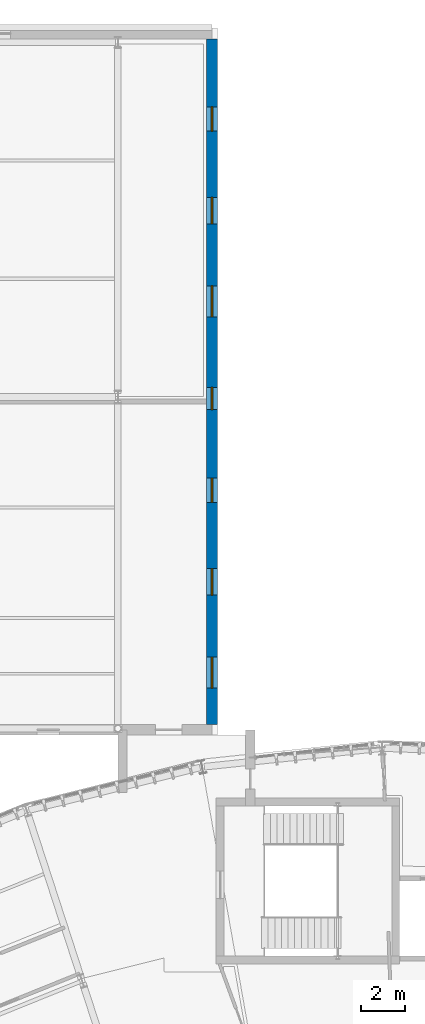
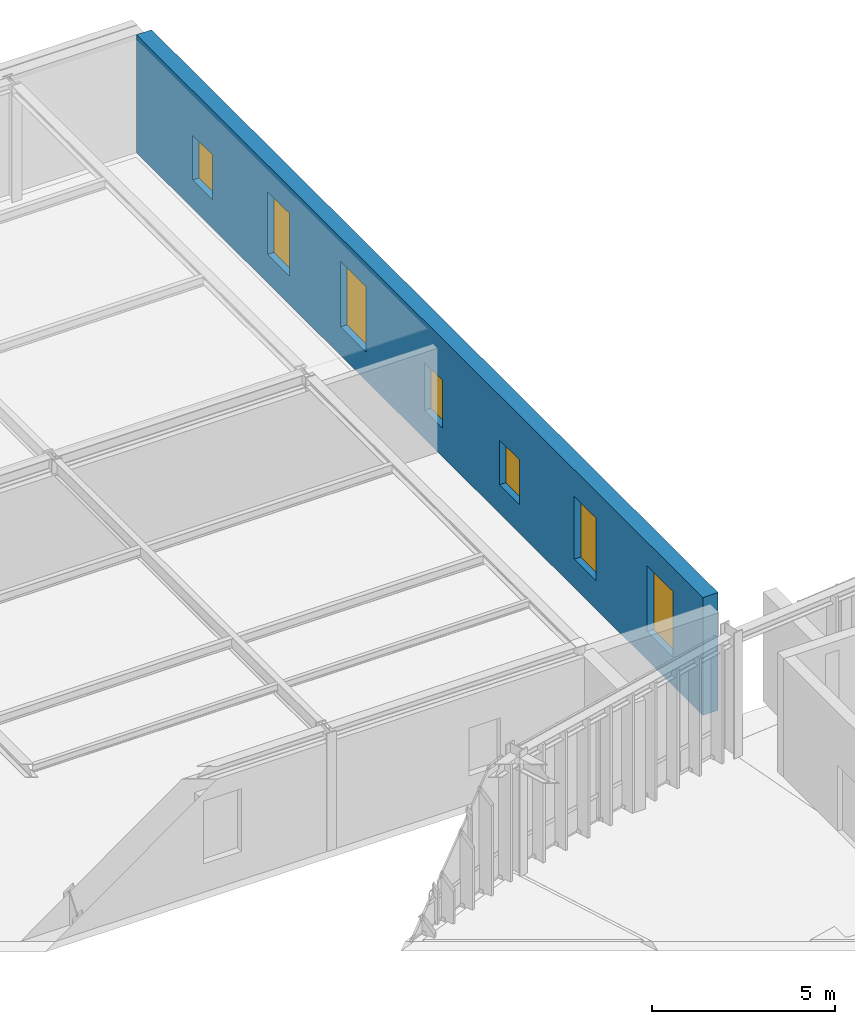
# One storey, part 132 of 148: 7 windows, 1 wall, 7 openings.
"""IFC4 building model written with IfcOpenShell, lengths in metres."""

from ifc_helpers import new_model, si_unit, direction, frame, frame_2d, origin, place, context, subcontext, project, spatial, rectangle, extrude, material, layer, layer_set, type_object, element, fill, save


model = new_model("IFC4")

# Units and contexts
model_context = context("Model", 3, precision=1e-05, world=origin(), true_north=direction((0.0, 1.0)))
body_context = subcontext(model_context, "Body", "Model", "MODEL_VIEW")
ifc_project = project(units=[si_unit("LENGTHUNIT", "METRE"), si_unit("AREAUNIT", "SQUARE_METRE"), si_unit("VOLUMEUNIT", "CUBIC_METRE"), si_unit("PLANEANGLEUNIT", "RADIAN"), si_unit("MASSUNIT", "GRAM", prefix="KILO"), si_unit("THERMODYNAMICTEMPERATUREUNIT", "KELVIN"), si_unit("POWERUNIT", "WATT")], contexts=[model_context])

# Site, building, storey
site_placement = place(None, origin())
site = spatial("IfcSite", under=ifc_project, at=site_placement, CompositionType="ELEMENT")
building_placement = place(site_placement, origin())
building = spatial("IfcBuilding", under=site, at=building_placement, Name="Solvatero Civic Police Headquarters", CompositionType="ELEMENT")
storey_placement = place(building_placement, frame((0.0, 0.0, 5.10009765625)))
storey = spatial("IfcBuildingStorey", under=building, at=storey_placement, Name="L01", CompositionType="ELEMENT", Elevation=5.10009765625)

# Wall, openings, windows
ifc_material_1 = material(Name="Reinforced Masonry", Category="masonry")
ifc_layer = layer(ifc_material_1, 0.47998046875)
ifc_layer_set = layer_set([ifc_layer], Name="Reinforced Masonry")
wall_type = type_object("IfcWallType", Name="WL-EXT-CUST-480", PredefinedType="SOLIDWALL", material=ifc_layer_set)
wall_placement = place(storey_placement, frame((84.260009765625, 85.679931640625, 0.0), z_axis=(0.0, 0.0, 1.0), x_axis=(0.0, 1.0, 0.0)))
wall = element("IfcWall", 1, at=wall_placement, inside=storey, type_object=wall_type, Name="Exterior Wall WLE-L01-V7-E", PredefinedType="SOLIDWALL", context=body_context, shape_type="SweptSolid", body=[
    extrude(rectangle(XDim=31.030029296875, YDim=0.47998046875, at=frame_2d((15.51513671875, 0.0))), origin(), (0.0, 0.0, 1.0), 3.93994140625),
])
opening_1_placement = place(wall_placement, frame((1.64990234375, 0.0, 0.949951171875)))
opening_1 = element("IfcOpeningElement", 2, at=opening_1_placement, cuts=wall, Name="Opening W-02", PredefinedType="OPENING", context=body_context, shape_type="SweptSolid", body=[
    extrude(rectangle(XDim=1.39990234375, YDim=2.199951171875, at=frame_2d((0.699951171875, 1.10009765625))), frame((0.0, 0.25, 0.0), z_axis=(0.0, -1.0, 0.0), x_axis=(1.0, 0.0, 0.0)), (0.0, 0.0, 1.0), 0.5),
])
opening_2_placement = place(wall_placement, frame((5.85009765625, 0.0, 0.949951171875)))
opening_2 = element("IfcOpeningElement", 3, at=opening_2_placement, cuts=wall, Name="Opening W-01", PredefinedType="OPENING", context=body_context, shape_type="SweptSolid", body=[
    extrude(rectangle(XDim=1.199951171875, YDim=2.10009765625, at=frame_2d((0.60009765625, 1.050048828125))), frame((0.0, 0.25, 0.0), z_axis=(0.0, -1.0, 0.0), x_axis=(1.0, 0.0, 0.0)), (0.0, 0.0, 1.0), 0.5),
])
opening_3_placement = place(wall_placement, frame((10.050048828125, 0.0, 0.949951171875)))
opening_3 = element("IfcOpeningElement", 4, at=opening_3_placement, cuts=wall, Name="Opening W-11", PredefinedType="OPENING", context=body_context, shape_type="SweptSolid", body=[
    extrude(rectangle(XDim=1.10009765625, YDim=1.5, at=frame_2d((0.550048828125, 0.75))), frame((0.0, 0.25, 0.0), z_axis=(0.0, -1.0, 0.0), x_axis=(1.0, 0.0, 0.0)), (0.0, 0.0, 1.0), 0.5),
])
opening_4_placement = place(wall_placement, frame((14.25, 0.0, 0.949951171875)))
opening_4 = element("IfcOpeningElement", 5, at=opening_4_placement, cuts=wall, Name="Opening W-09", PredefinedType="OPENING", context=body_context, shape_type="SweptSolid", body=[
    extrude(rectangle(XDim=1.0, YDim=1.60009765625, at=frame_2d((0.5, 0.800048828125))), frame((0.0, 0.25, 0.0), z_axis=(0.0, -1.0, 0.0), x_axis=(1.0, 0.0, 0.0)), (0.0, 0.0, 1.0), 0.5),
])
opening_5_placement = place(wall_placement, frame((18.449951171875, 0.0, 0.949951171875)))
opening_5 = element("IfcOpeningElement", 6, at=opening_5_placement, cuts=wall, Name="Opening W-02", PredefinedType="OPENING", context=body_context, shape_type="SweptSolid", body=[
    extrude(rectangle(XDim=1.39990234375, YDim=2.199951171875, at=frame_2d((0.699951171875, 1.10009765625))), frame((0.0, 0.25, 0.0), z_axis=(0.0, -1.0, 0.0), x_axis=(1.0, 0.0, 0.0)), (0.0, 0.0, 1.0), 0.5),
])
opening_6_placement = place(wall_placement, frame((22.64990234375, 0.0, 0.949951171875)))
opening_6 = element("IfcOpeningElement", 7, at=opening_6_placement, cuts=wall, Name="Opening W-01", PredefinedType="OPENING", context=body_context, shape_type="SweptSolid", body=[
    extrude(rectangle(XDim=1.199951171875, YDim=2.10009765625, at=frame_2d((0.60009765625, 1.050048828125))), frame((0.0, 0.25, 0.0), z_axis=(0.0, -1.0, 0.0), x_axis=(1.0, 0.0, 0.0)), (0.0, 0.0, 1.0), 0.5),
])
opening_7_placement = place(wall_placement, frame((26.85009765625, 0.0, 0.949951171875)))
opening_7 = element("IfcOpeningElement", 8, at=opening_7_placement, cuts=wall, Name="Opening W-11", PredefinedType="OPENING", context=body_context, shape_type="SweptSolid", body=[
    extrude(rectangle(XDim=1.10009765625, YDim=1.5, at=frame_2d((0.550048828125, 0.75))), frame((0.0, 0.25, 0.0), z_axis=(0.0, -1.0, 0.0), x_axis=(1.0, 0.0, 0.0)), (0.0, 0.0, 1.0), 0.5),
])
ifc_material_2 = material(Name="Anodized Bronze Aluminium", Category="aluminium")
window_type_1 = type_object("IfcWindowType", Name="WN-CL-100x160", PartitioningType="SINGLE_PANEL", PredefinedType="WINDOW", material=ifc_material_2)
window_1_placement = place(opening_4_placement, origin())
window_1 = element("IfcWindow", 9, at=window_1_placement, inside=storey, type_object=window_type_1, Name="Exterior Window 0201", OverallHeight=1.60009765625, OverallWidth=1.0, PartitioningType="SINGLE_PANEL", PredefinedType="WINDOW", context=body_context, shape_type="SweptSolid", body=[
    extrude(rectangle(XDim=1.0, YDim=1.60009765625, at=frame_2d((0.5, 0.800048828125))), frame((0.0, 0.030029296875, 0.0), z_axis=(0.0, -1.0, 0.0), x_axis=(1.0, 0.0, 0.0)), (0.0, 0.0, 1.0), 0.06005859375),
])
fill(opening_4, window_1)
ifc_material_3 = material(Name="Ballistic Steel Frame Glass", Category="steel")
window_type_2 = type_object("IfcWindowType", Name="WN-CL-110x150", PartitioningType="SINGLE_PANEL", PredefinedType="WINDOW", material=ifc_material_3)
window_2_placement = place(opening_3_placement, origin())
window_2 = element("IfcWindow", 10, at=window_2_placement, inside=storey, type_object=window_type_2, Name="Exterior Window 0200", OverallHeight=1.5, OverallWidth=1.10009765625, PartitioningType="SINGLE_PANEL", PredefinedType="WINDOW", context=body_context, shape_type="SweptSolid", body=[
    extrude(rectangle(XDim=1.10009765625, YDim=1.5, at=frame_2d((0.550048828125, 0.75))), frame((0.0, 0.030029296875, 0.0), z_axis=(0.0, -1.0, 0.0), x_axis=(1.0, 0.0, 0.0)), (0.0, 0.0, 1.0), 0.06005859375),
])
fill(opening_3, window_2)
window_3_placement = place(opening_7_placement, origin())
window_3 = element("IfcWindow", 11, at=window_3_placement, inside=storey, type_object=window_type_2, Name="Exterior Window 0204", OverallHeight=1.5, OverallWidth=1.10009765625, PartitioningType="SINGLE_PANEL", PredefinedType="WINDOW", context=body_context, shape_type="SweptSolid", body=[
    extrude(rectangle(XDim=1.10009765625, YDim=1.5, at=frame_2d((0.550048828125, 0.75))), frame((0.0, 0.030029296875, 0.0), z_axis=(0.0, -1.0, 0.0), x_axis=(1.0, 0.0, 0.0)), (0.0, 0.0, 1.0), 0.06005859375),
])
fill(opening_7, window_3)
window_type_3 = type_object("IfcWindowType", Name="WN-CL-120x210", PartitioningType="SINGLE_PANEL", PredefinedType="WINDOW", material=ifc_material_2)
window_4_placement = place(opening_2_placement, origin())
window_4 = element("IfcWindow", 12, at=window_4_placement, inside=storey, type_object=window_type_3, Name="Exterior Window 0199", OverallHeight=2.10009765625, OverallWidth=1.199951171875, PartitioningType="SINGLE_PANEL", PredefinedType="WINDOW", context=body_context, shape_type="SweptSolid", body=[
    extrude(rectangle(XDim=1.199951171875, YDim=2.10009765625, at=frame_2d((0.60009765625, 1.050048828125))), frame((0.0, 0.030029296875, 0.0), z_axis=(0.0, -1.0, 0.0), x_axis=(1.0, 0.0, 0.0)), (0.0, 0.0, 1.0), 0.06005859375),
])
fill(opening_2, window_4)
window_5_placement = place(opening_6_placement, origin())
window_5 = element("IfcWindow", 13, at=window_5_placement, inside=storey, type_object=window_type_3, Name="Exterior Window 0203", OverallHeight=2.10009765625, OverallWidth=1.199951171875, PartitioningType="SINGLE_PANEL", PredefinedType="WINDOW", context=body_context, shape_type="SweptSolid", body=[
    extrude(rectangle(XDim=1.199951171875, YDim=2.10009765625, at=frame_2d((0.60009765625, 1.050048828125))), frame((0.0, 0.030029296875, 0.0), z_axis=(0.0, -1.0, 0.0), x_axis=(1.0, 0.0, 0.0)), (0.0, 0.0, 1.0), 0.06005859375),
])
fill(opening_6, window_5)
window_type_4 = type_object("IfcWindowType", Name="WN-CL-140x220", PartitioningType="SINGLE_PANEL", PredefinedType="WINDOW", material=ifc_material_2)
window_6_placement = place(opening_1_placement, origin())
window_6 = element("IfcWindow", 14, at=window_6_placement, inside=storey, type_object=window_type_4, Name="Exterior Window 0198", OverallHeight=2.199951171875, OverallWidth=1.39990234375, PartitioningType="SINGLE_PANEL", PredefinedType="WINDOW", context=body_context, shape_type="SweptSolid", body=[
    extrude(rectangle(XDim=1.39990234375, YDim=2.199951171875, at=frame_2d((0.699951171875, 1.10009765625))), frame((0.0, 0.030029296875, 0.0), z_axis=(0.0, -1.0, 0.0), x_axis=(1.0, 0.0, 0.0)), (0.0, 0.0, 1.0), 0.06005859375),
])
fill(opening_1, window_6)
window_7_placement = place(opening_5_placement, origin())
window_7 = element("IfcWindow", 15, at=window_7_placement, inside=storey, type_object=window_type_4, Name="Exterior Window 0202", OverallHeight=2.199951171875, OverallWidth=1.39990234375, PartitioningType="SINGLE_PANEL", PredefinedType="WINDOW", context=body_context, shape_type="SweptSolid", body=[
    extrude(rectangle(XDim=1.39990234375, YDim=2.199951171875, at=frame_2d((0.699951171875, 1.10009765625))), frame((0.0, 0.030029296875, 0.0), z_axis=(0.0, -1.0, 0.0), x_axis=(1.0, 0.0, 0.0)), (0.0, 0.0, 1.0), 0.06005859375),
])
fill(opening_5, window_7)

save(model, "model.ifc")
